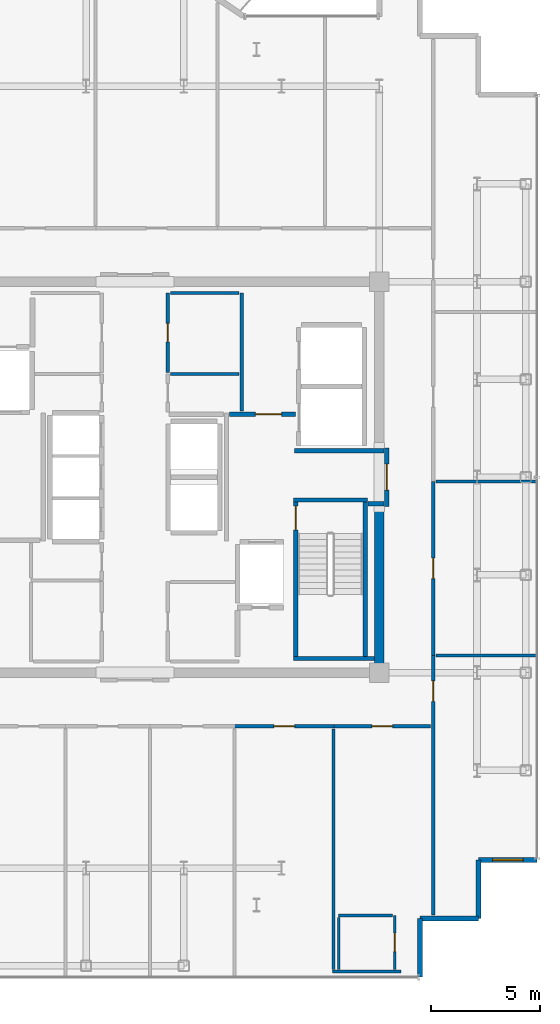
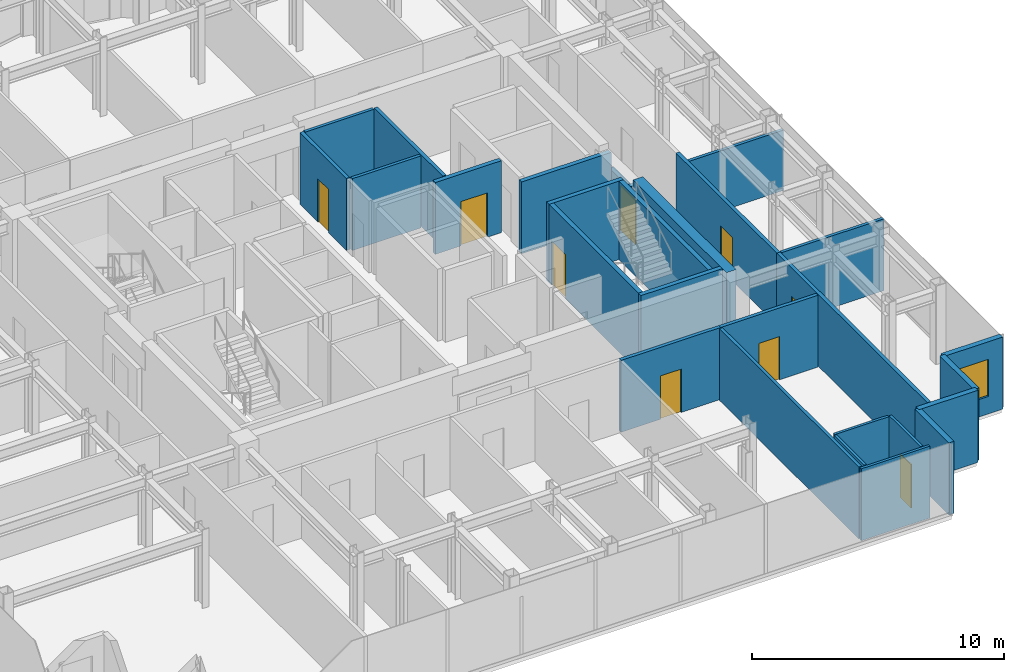
# One storey, part 15 of 18: 28 walls, 9 doors, 1 window, 10 openings.
"""IFC4 building model written with IfcOpenShell, lengths in metres."""

from ifc_helpers import new_model, si_unit, direction, frame, frame_2d, origin, place, context, subcontext, project, spatial, rectangle, extrude, source, transform, mapped, material, layer, layer_set, type_object, element, fill, save


model = new_model("IFC4")

# Units and contexts
model_context = context("Model", 3, precision=1e-05, world=origin(), true_north=direction((0.0, 1.0)))
body_context = subcontext(model_context, "Body", "Model", "MODEL_VIEW")
ifc_project = project(units=[si_unit("LENGTHUNIT", "METRE"), si_unit("AREAUNIT", "SQUARE_METRE"), si_unit("VOLUMEUNIT", "CUBIC_METRE"), si_unit("PLANEANGLEUNIT", "RADIAN"), si_unit("MASSUNIT", "GRAM", prefix="KILO")], contexts=[model_context])

# Site, building, storey
site_placement = place(None, origin())
site = spatial("IfcSite", under=ifc_project, at=site_placement, CompositionType="ELEMENT")
building_placement = place(site_placement, origin())
building = spatial("IfcBuilding", under=site, at=building_placement, Name="Nefas-Gora Pilgrimage Tower", CompositionType="ELEMENT")
storey_placement = place(building_placement, frame((0.0, 0.0, 314.0)))
storey = spatial("IfcBuildingStorey", under=building, at=storey_placement, Name="L79", CompositionType="ELEMENT", Elevation=314.0)

# Wall
ifc_material_1 = material(Name="Concrete C50/60", Category="concrete")
ifc_layer_1 = layer(ifc_material_1, 0.449951171875)
ifc_layer_set_1 = layer_set([ifc_layer_1], Name="Concrete C50/60")
wall_type_1 = type_object("IfcWallType", Name="SW-CORE-450", PredefinedType="SHEAR", material=ifc_layer_set_1)
shared_shape_1 = source(origin(), body_context, "Body", "SweptSolid", [
    extrude(rectangle(XDim=7.4248046875, YDim=0.449951171875, at=frame_2d((3.71240234375, 0.0))), origin(), (0.0, 0.0, 1.0), 3.800048828125),
])
wall_1_placement = place(storey_placement, frame((11.25, -8.77490234375, 0.0), z_axis=(0.0, 0.0, 1.0), x_axis=(0.0, 1.0, 0.0)))
element("IfcWall", 1, at=wall_1_placement, inside=storey, type_object=wall_type_1, Name="L79 Core Shear Wall E-South", PredefinedType="SHEAR", context=body_context, shape_type="MappedRepresentation", body=[
    mapped(shared_shape_1, transform((0.0, 0.0, 0.0), x_axis=(1.0, 0.0, 0.0), y_axis=(0.0, 1.0, 0.0), z_axis=(0.0, 0.0, 1.0), scale=1.0)),
])

# Wall, opening, window
ifc_material_2 = material(Name="Precast concrete C45/55", Category="concrete")
ifc_layer_2 = layer(ifc_material_2, 0.239990234375)
ifc_layer_set_2 = layer_set([ifc_layer_2], Name="Precast concrete C45/55")
wall_type_2 = type_object("IfcWallType", Name="EW-SERR-240", PredefinedType="SHEAR", material=ifc_layer_set_2)
shared_shape_2 = source(origin(), body_context, "Body", "SweptSolid", [
    extrude(rectangle(XDim=2.699951171875, YDim=0.239990234375, at=frame_2d((1.35009765625, 0.0))), origin(), (0.0, 0.0, 1.0), 3.5),
])
wall_2_placement = place(storey_placement, frame((15.820068359375, -17.6201171875, 0.0), z_axis=(0.0, 0.0, 1.0), x_axis=(1.0, 0.0, 0.0)))
wall_2 = element("IfcWall", 2, at=wall_2_placement, inside=storey, type_object=wall_type_2, Name="L79 Serrated Corner Shear Pier Wall 1", PredefinedType="SHEAR", context=body_context, shape_type="MappedRepresentation", body=[
    mapped(shared_shape_2, transform((0.0, 0.0, 0.0), x_axis=(1.0, 0.0, 0.0), y_axis=(0.0, 1.0, 0.0), z_axis=(0.0, 0.0, 1.0), scale=1.0)),
])
opening_1_placement = place(wall_2_placement, frame((0.64990234375, 0.0, 0.85009765625)))
opening_1 = element("IfcOpeningElement", 3, at=opening_1_placement, cuts=wall_2, Name="Opening W-V2", PredefinedType="OPENING", context=body_context, shape_type="SweptSolid", body=[
    extrude(rectangle(XDim=1.39990234375, YDim=1.800048828125, at=frame_2d((0.699951171875, 0.89990234375))), frame((0.0, 0.1298828125, 0.0), z_axis=(0.0, -1.0, 0.0), x_axis=(1.0, 0.0, 0.0)), (0.0, 0.0, 1.0), 0.260009765625),
])
ifc_material_3 = material(Name="Dark ceramic-fritted operable aluminium-glass window", Category="aluminium")
window_type = type_object("IfcWindowType", Name="WIN-VENT-1400x1800", PartitioningType="SINGLE_PANEL", PredefinedType="WINDOW", material=ifc_material_3)
shared_shape_3 = source(origin(), body_context, "Body", "SweptSolid", [
    extrude(rectangle(XDim=1.39990234375, YDim=1.800048828125, at=frame_2d((0.699951171875, 0.89990234375))), frame((0.0, 0.030029296875, 0.0), z_axis=(0.0, -1.0, 0.0), x_axis=(1.0, 0.0, 0.0)), (0.0, 0.0, 1.0), 0.06005859375),
])
window_placement = place(opening_1_placement, origin())
window = element("IfcWindow", 4, at=window_placement, inside=storey, type_object=window_type, Name="L79 Operable Parallel-Outswing Window 1", OverallHeight=1.800048828125, OverallWidth=1.39990234375, PartitioningType="SINGLE_PANEL", PredefinedType="WINDOW", context=body_context, shape_type="MappedRepresentation", body=[
    mapped(shared_shape_3, transform((0.0, 0.0, 0.0), x_axis=(1.0, 0.0, 0.0), y_axis=(0.0, 1.0, 0.0), z_axis=(0.0, 0.0, 1.0), scale=1.0)),
])
fill(opening_1, window)

# Walls
for number, where, z_axis, x_axis, name in (
    (5, (13.1201171875, -23.02001953125, 0.0), (0.0, 0.0, 1.0), (0.0, 1.0, 0.0), "L79 Serrated Corner Shear Pier Wall 25"),
    (6, (13.1201171875, -20.320068359375, 0.0), (0.0, 0.0, 1.0), (1.0, 0.0, 0.0), "L79 Serrated Corner Shear Pier Wall 26"),
    (7, (15.820068359375, -20.320068359375, 0.0), (0.0, 0.0, 1.0), (0.0, 1.0, 0.0), "L79 Serrated Corner Shear Pier Wall 27"),
):
    element("IfcWall", number, at=place(storey_placement, frame(where, z_axis=z_axis, x_axis=x_axis)), inside=storey, type_object=wall_type_2, Name=name, PredefinedType="SHEAR", context=body_context, shape_type="MappedRepresentation", body=[
        mapped(shared_shape_2, transform((0.0, 0.0, 0.0), x_axis=(1.0, 0.0, 0.0), y_axis=(0.0, 1.0, 0.0), z_axis=(0.0, 0.0, 1.0), scale=1.0)),
    ])
ifc_material_4 = material(Name="Concrete C45/55", Category="concrete")
ifc_layer_3 = layer(ifc_material_4, 0.199951171875)
ifc_layer_set_3 = layer_set([ifc_layer_3], Name="Concrete C45/55")
wall_type_3 = type_object("IfcWallType", Name="IW-STAIR-200", PredefinedType="SOLIDWALL", material=ifc_layer_set_3)
shared_shape_4 = source(origin(), body_context, "Body", "SweptSolid", [
    extrude(rectangle(XDim=3.39990234375, YDim=0.199951171875, at=frame_2d((1.699951171875, 0.0))), origin(), (0.0, 0.0, 1.0), 3.800048828125),
])
wall_3_placement = place(storey_placement, frame((7.300048828125, -1.050048828125, 0.0), z_axis=(0.0, 0.0, 1.0), x_axis=(1.0, 0.0, 0.0)))
element("IfcWall", 8, at=wall_3_placement, inside=storey, type_object=wall_type_3, Name="L79 Stairwell Shear Wall ST-02-near", PredefinedType="SOLIDWALL", context=body_context, shape_type="MappedRepresentation", body=[
    mapped(shared_shape_4, transform((0.0, 0.0, 0.0), x_axis=(1.0, 0.0, 0.0), y_axis=(0.0, 1.0, 0.0), z_axis=(0.0, 0.0, 1.0), scale=1.0)),
])

# Wall, opening, door
shared_shape_5 = source(origin(), body_context, "Body", "SweptSolid", [
    extrude(rectangle(XDim=7.10009765625, YDim=0.199951171875, at=frame_2d((3.550048828125, 0.0))), origin(), (0.0, 0.0, 1.0), 3.800048828125),
])
wall_4_placement = place(storey_placement, frame((7.39990234375, -1.14990234375, 0.0), z_axis=(0.0, 0.0, 1.0), x_axis=(0.0, -1.0, 0.0)))
wall_4 = element("IfcWall", 9, at=wall_4_placement, inside=storey, type_object=wall_type_3, Name="L79 Stairwell Shear Wall ST-02-left", PredefinedType="SOLIDWALL", context=body_context, shape_type="MappedRepresentation", body=[
    mapped(shared_shape_5, transform((0.0, 0.0, 0.0), x_axis=(1.0, 0.0, 0.0), y_axis=(0.0, 1.0, 0.0), z_axis=(0.0, 0.0, 1.0), scale=1.0)),
])
opening_2_placement = place(wall_4_placement, frame((0.179931640625, 0.0, 0.0)))
opening_2 = element("IfcOpeningElement", 10, at=opening_2_placement, cuts=wall_4, Name="Opening ID-ST1", PredefinedType="OPENING", context=body_context, shape_type="SweptSolid", body=[
    extrude(rectangle(XDim=1.10009765625, YDim=2.14990234375, at=frame_2d((0.550048828125, 1.074951171875))), frame((0.0, 0.10986328125, 0.0), z_axis=(0.0, -1.0, 0.0), x_axis=(1.0, 0.0, 0.0)), (0.0, 0.0, 1.0), 0.219970703125),
])
ifc_material_5 = material(Name="Painted galvanised steel fire stair door", Category="steel")
door_type_1 = type_object("IfcDoorType", Name="DR-INT-STAIR-1100", OperationType="NOTDEFINED", PredefinedType="DOOR", material=ifc_material_5)
shared_shape_6 = source(origin(), body_context, "Body", "SweptSolid", [
    extrude(rectangle(XDim=1.10009765625, YDim=2.14990234375, at=frame_2d((0.550048828125, 1.074951171875))), frame((0.0, 0.02490234375, 0.0), z_axis=(0.0, -1.0, 0.0), x_axis=(1.0, 0.0, 0.0)), (0.0, 0.0, 1.0), 0.050048828125),
])
door_1_placement = place(opening_2_placement, origin())
door_1 = element("IfcDoor", 11, at=door_1_placement, inside=storey, type_object=door_type_1, Name="L79 Protected Exit Stair Door ST-02", OperationType="SINGLE_SWING_RIGHT", OverallHeight=2.14990234375, OverallWidth=1.10009765625, PredefinedType="DOOR", context=body_context, shape_type="MappedRepresentation", body=[
    mapped(shared_shape_6, transform((0.0, 0.0, 0.0), x_axis=(1.0, 0.0, 0.0), y_axis=(0.0, 1.0, 0.0), z_axis=(0.0, 0.0, 1.0), scale=1.0)),
])
fill(opening_2, door_1)

# Walls
wall_5_placement = place(storey_placement, frame((10.60009765625, -1.14990234375, 0.0), z_axis=(0.0, 0.0, 1.0), x_axis=(0.0, -1.0, 0.0)))
element("IfcWall", 12, at=wall_5_placement, inside=storey, type_object=wall_type_3, Name="L79 Stairwell Shear Wall ST-02-right", PredefinedType="SOLIDWALL", context=body_context, shape_type="MappedRepresentation", body=[
    mapped(shared_shape_5, transform((0.0, 0.0, 0.0), x_axis=(1.0, 0.0, 0.0), y_axis=(0.0, 1.0, 0.0), z_axis=(0.0, 0.0, 1.0), scale=1.0)),
])
shared_shape_7 = source(origin(), body_context, "Body", "SweptSolid", [
    extrude(rectangle(XDim=3.72998046875, YDim=0.199951171875, at=frame_2d((1.864990234375, 0.0))), origin(), (0.0, 0.0, 1.0), 3.800048828125),
])
wall_6_placement = place(storey_placement, frame((7.300048828125, -8.35009765625, 0.0), z_axis=(0.0, 0.0, 1.0), x_axis=(1.0, 0.0, 0.0)))
element("IfcWall", 13, at=wall_6_placement, inside=storey, type_object=wall_type_3, Name="L79 Stairwell Shear Wall ST-02-far", PredefinedType="SOLIDWALL", context=body_context, shape_type="MappedRepresentation", body=[
    mapped(shared_shape_7, transform((0.0, 0.0, 0.0), x_axis=(1.0, 0.0, 0.0), y_axis=(0.0, 1.0, 0.0), z_axis=(0.0, 0.0, 1.0), scale=1.0)),
])
ifc_material_6 = material(Name="Gypsum fire-rated shaftwall")
ifc_layer_4 = layer(ifc_material_6, 0.199951171875)
ifc_layer_set_4 = layer_set([ifc_layer_4], Name="Gypsum fire-rated shaftwall")
wall_type_4 = type_object("IfcWallType", Name="IW-FFLOB-200", PredefinedType="PARTITIONING", material=ifc_layer_set_4)
shared_shape_8 = source(origin(), body_context, "Body", "SweptSolid", [
    extrude(rectangle(XDim=0.719970703125, YDim=0.199951171875, at=frame_2d((0.35986328125, 0.0))), origin(), (0.0, 0.0, 1.0), 3.485107421875),
])
wall_7_placement = place(storey_placement, frame((10.739990234375, -1.219970703125, 0.0), z_axis=(0.0, 0.0, 1.0), x_axis=(1.0, 0.0, 0.0)))
element("IfcWall", 14, at=wall_7_placement, inside=storey, type_object=wall_type_4, Name="L79 FF Lobby East Throat S Wall 15", PredefinedType="PARTITIONING", context=body_context, shape_type="MappedRepresentation", body=[
    mapped(shared_shape_8, transform((0.0, 0.0, 0.0), x_axis=(1.0, 0.0, 0.0), y_axis=(0.0, 1.0, 0.0), z_axis=(0.0, 0.0, 1.0), scale=1.0)),
])

# Wall, opening, door
shared_shape_9 = source(origin(), body_context, "Body", "SweptSolid", [
    extrude(rectangle(XDim=3.039794921875, YDim=0.199951171875, at=frame_2d((1.52001953125, 0.0))), origin(), (0.0, 0.0, 1.0), 3.485107421875),
])
wall_8_placement = place(storey_placement, frame((4.360107421875, 2.89990234375, 0.0), z_axis=(0.0, 0.0, 1.0), x_axis=(1.0, 0.0, 0.0)))
wall_8 = element("IfcWall", 15, at=wall_8_placement, inside=storey, type_object=wall_type_4, Name="L79 FF Lobby East North Wall Wall 13", PredefinedType="PARTITIONING", context=body_context, shape_type="MappedRepresentation", body=[
    mapped(shared_shape_9, transform((0.0, 0.0, 0.0), x_axis=(1.0, 0.0, 0.0), y_axis=(0.0, 1.0, 0.0), z_axis=(0.0, 0.0, 1.0), scale=1.0)),
])
opening_3_placement = place(wall_8_placement, frame((1.18994140625, 0.0, 0.0)))
opening_3 = element("IfcOpeningElement", 16, at=opening_3_placement, cuts=wall_8, Name="Opening ID-PL1", PredefinedType="OPENING", context=body_context, shape_type="SweptSolid", body=[
    extrude(rectangle(XDim=1.199951171875, YDim=2.14990234375, at=frame_2d((0.60009765625, 1.074951171875))), frame((0.0, 0.10986328125, 0.0), z_axis=(0.0, -1.0, 0.0), x_axis=(1.0, 0.0, 0.0)), (0.0, 0.0, 1.0), 0.219970703125),
])
ifc_material_7 = material(Name="Heavy-duty steel plant room fire door", Category="steel")
door_type_2 = type_object("IfcDoorType", Name="DR-INT-PLANT-1200", OperationType="NOTDEFINED", PredefinedType="DOOR", material=ifc_material_7)
shared_shape_10 = source(origin(), body_context, "Body", "SweptSolid", [
    extrude(rectangle(XDim=1.199951171875, YDim=2.14990234375, at=frame_2d((0.60009765625, 1.074951171875))), frame((0.0, 0.02490234375, 0.0), z_axis=(0.0, -1.0, 0.0), x_axis=(1.0, 0.0, 0.0)), (0.0, 0.0, 1.0), 0.050048828125),
])
door_2_placement = place(opening_3_placement, origin())
door_2 = element("IfcDoor", 17, at=door_2_placement, inside=storey, type_object=door_type_2, Name="L79 Service Lift Lobby Door Door 5", OperationType="SINGLE_SWING_RIGHT", OverallHeight=2.14990234375, OverallWidth=1.199951171875, PredefinedType="DOOR", context=body_context, shape_type="MappedRepresentation", body=[
    mapped(shared_shape_10, transform((0.0, 0.0, 0.0), x_axis=(1.0, 0.0, 0.0), y_axis=(0.0, 1.0, 0.0), z_axis=(0.0, 0.0, 1.0), scale=1.0)),
])
fill(opening_3, door_2)

# Wall
shared_shape_11 = source(origin(), body_context, "Body", "SweptSolid", [
    extrude(rectangle(XDim=4.10986328125, YDim=0.199951171875, at=frame_2d((2.054931640625, 0.0))), origin(), (0.0, 0.0, 1.0), 3.485107421875),
])
wall_9_placement = place(storey_placement, frame((7.35009765625, 1.219970703125, 0.0), z_axis=(0.0, 0.0, 1.0), x_axis=(1.0, 0.0, 0.0)))
element("IfcWall", 18, at=wall_9_placement, inside=storey, type_object=wall_type_4, Name="L79 FF Lobby East Throat N Wall 14", PredefinedType="PARTITIONING", context=body_context, shape_type="MappedRepresentation", body=[
    mapped(shared_shape_11, transform((0.0, 0.0, 0.0), x_axis=(1.0, 0.0, 0.0), y_axis=(0.0, 1.0, 0.0), z_axis=(0.0, 0.0, 1.0), scale=1.0)),
])

# Wall, opening, door
ifc_material_8 = material(Name="Moisture-resistant fire-rated gypsum partition")
ifc_layer_5 = layer(ifc_material_8, 0.1201171875)
ifc_layer_set_5 = layer_set([ifc_layer_5], Name="Moisture-resistant fire-rated gypsum partition")
wall_type_5 = type_object("IfcWallType", Name="IW-WET-120", PredefinedType="PLUMBINGWALL", material=ifc_layer_set_5)
shared_shape_12 = source(origin(), body_context, "Body", "SweptSolid", [
    extrude(rectangle(XDim=2.47998046875, YDim=0.1201171875, at=frame_2d((1.239990234375, 0.0))), origin(), (0.0, 0.0, 1.0), 3.485107421875),
])
wall_10_placement = place(storey_placement, frame((11.9599609375, -22.659912109375, 0.0), z_axis=(0.0, 0.0, 1.0), x_axis=(0.0, 1.0, 0.0)))
wall_10 = element("IfcWall", 19, at=wall_10_placement, inside=storey, type_object=wall_type_5, Name="L79 En-Suite Bathroom Wall 20", PredefinedType="PLUMBINGWALL", context=body_context, shape_type="MappedRepresentation", body=[
    mapped(shared_shape_12, transform((0.0, 0.0, 0.0), x_axis=(1.0, 0.0, 0.0), y_axis=(0.0, 1.0, 0.0), z_axis=(0.0, 0.0, 1.0), scale=1.0)),
])
opening_4_placement = place(wall_10_placement, frame((0.81494140625, 0.0, 0.0)))
opening_4 = element("IfcOpeningElement", 20, at=opening_4_placement, cuts=wall_10, Name="Opening ID-BT1", PredefinedType="OPENING", context=body_context, shape_type="SweptSolid", body=[
    extrude(rectangle(XDim=0.85009765625, YDim=2.10009765625, at=frame_2d((0.425048828125, 1.050048828125))), frame((0.0, 0.070068359375, 0.0), z_axis=(0.0, -1.0, 0.0), x_axis=(1.0, 0.0, 0.0)), (0.0, 0.0, 1.0), 0.14013671875),
])
ifc_material_9 = material(Name="Moisture-resistant fire-rated timber door", Category="wood")
door_type_3 = type_object("IfcDoorType", Name="DR-INT-BATH-850", OperationType="NOTDEFINED", PredefinedType="DOOR", material=ifc_material_9)
shared_shape_13 = source(origin(), body_context, "Body", "SweptSolid", [
    extrude(rectangle(XDim=0.85009765625, YDim=2.10009765625, at=frame_2d((0.425048828125, 1.050048828125))), frame((0.0, 0.02490234375, 0.0), z_axis=(0.0, -1.0, 0.0), x_axis=(1.0, 0.0, 0.0)), (0.0, 0.0, 1.0), 0.050048828125),
])
door_3_placement = place(opening_4_placement, origin())
door_3 = element("IfcDoor", 21, at=door_3_placement, inside=storey, type_object=door_type_3, Name="L79 En-Suite Bathroom Door 8", OperationType="SINGLE_SWING_LEFT", OverallHeight=2.10009765625, OverallWidth=0.85009765625, PredefinedType="DOOR", context=body_context, shape_type="MappedRepresentation", body=[
    mapped(shared_shape_13, transform((0.0, 0.0, 0.0), x_axis=(1.0, 0.0, 0.0), y_axis=(0.0, 1.0, 0.0), z_axis=(0.0, 0.0, 1.0), scale=1.0)),
])
fill(opening_4, door_3)

ifc_material_10 = material(Name="Gypsum acoustic stud partition")
ifc_layer_6 = layer(ifc_material_10, 0.159912109375)
ifc_layer_set_6 = layer_set([ifc_layer_6], Name="Gypsum acoustic stud partition")
wall_type_6 = type_object("IfcWallType", Name="IW-CORR-160", PredefinedType="PARTITIONING", material=ifc_layer_set_6)
shared_shape_14 = source(origin(), body_context, "Body", "SweptSolid", [
    extrude(rectangle(XDim=4.56494140625, YDim=0.159912109375, at=frame_2d((2.282470703125, 0.0))), origin(), (0.0, 0.0, 1.0), 3.485107421875),
])
wall_11_placement = place(storey_placement, frame((4.594970703125, -11.469970703125, 0.0), z_axis=(0.0, 0.0, 1.0), x_axis=(1.0, 0.0, 0.0)))
wall_11 = element("IfcWall", 22, at=wall_11_placement, inside=storey, type_object=wall_type_6, Name="L79 Pilgrim Contemplative Lounge Partition Wall 75", PredefinedType="PARTITIONING", context=body_context, shape_type="MappedRepresentation", body=[
    mapped(shared_shape_14, transform((0.0, 0.0, 0.0), x_axis=(1.0, 0.0, 0.0), y_axis=(0.0, 1.0, 0.0), z_axis=(0.0, 0.0, 1.0), scale=1.0)),
])
opening_5_placement = place(wall_11_placement, frame((1.8076171875, 0.0, 0.0)))
opening_5 = element("IfcOpeningElement", 23, at=opening_5_placement, cuts=wall_11, Name="Opening ID-GR1", PredefinedType="OPENING", context=body_context, shape_type="SweptSolid", body=[
    extrude(rectangle(XDim=0.949951171875, YDim=2.10009765625, at=frame_2d((0.47509765625, 1.050048828125))), frame((0.0, 0.08984375, 0.0), z_axis=(0.0, -1.0, 0.0), x_axis=(1.0, 0.0, 0.0)), (0.0, 0.0, 1.0), 0.179931640625),
])
ifc_material_11 = material(Name="Solid core oak fire-rated guest entrance door")
door_type_4 = type_object("IfcDoorType", Name="DR-INT-GUEST-950", OperationType="NOTDEFINED", PredefinedType="DOOR", material=ifc_material_11)
shared_shape_15 = source(origin(), body_context, "Body", "SweptSolid", [
    extrude(rectangle(XDim=0.949951171875, YDim=2.10009765625, at=frame_2d((0.47509765625, 1.050048828125))), frame((0.0, 0.02490234375, 0.0), z_axis=(0.0, -1.0, 0.0), x_axis=(1.0, 0.0, 0.0)), (0.0, 0.0, 1.0), 0.050048828125),
])
door_4_placement = place(opening_5_placement, origin())
door_4 = element("IfcDoor", 24, at=door_4_placement, inside=storey, type_object=door_type_4, Name="L79 Pilgrim Contemplative Lounge Door 35", OperationType="SINGLE_SWING_RIGHT", OverallHeight=2.10009765625, OverallWidth=0.949951171875, PredefinedType="DOOR", context=body_context, shape_type="MappedRepresentation", body=[
    mapped(shared_shape_15, transform((0.0, 0.0, 0.0), x_axis=(1.0, 0.0, 0.0), y_axis=(0.0, 1.0, 0.0), z_axis=(0.0, 0.0, 1.0), scale=1.0)),
])
fill(opening_5, door_4)

shared_shape_16 = source(origin(), body_context, "Body", "SweptSolid", [
    extrude(rectangle(XDim=4.460205078125, YDim=0.159912109375, at=frame_2d((2.22998046875, 0.0))), origin(), (0.0, 0.0, 1.0), 3.485107421875),
])
wall_12_placement = place(storey_placement, frame((9.159912109375, -11.469970703125, 0.0), z_axis=(0.0, 0.0, 1.0), x_axis=(1.0, 0.0, 0.0)))
wall_12 = element("IfcWall", 25, at=wall_12_placement, inside=storey, type_object=wall_type_6, Name="L79 Pilgrim Sanctuary Suite Partition Wall 77", PredefinedType="PARTITIONING", context=body_context, shape_type="MappedRepresentation", body=[
    mapped(shared_shape_16, transform((0.0, 0.0, 0.0), x_axis=(1.0, 0.0, 0.0), y_axis=(0.0, 1.0, 0.0), z_axis=(0.0, 0.0, 1.0), scale=1.0)),
])
opening_6_placement = place(wall_12_placement, frame((1.7548828125, 0.0, 0.0)))
opening_6 = element("IfcOpeningElement", 26, at=opening_6_placement, cuts=wall_12, Name="Opening ID-GR1", PredefinedType="OPENING", context=body_context, shape_type="SweptSolid", body=[
    extrude(rectangle(XDim=0.949951171875, YDim=2.10009765625, at=frame_2d((0.47509765625, 1.050048828125))), frame((0.0, 0.08984375, 0.0), z_axis=(0.0, -1.0, 0.0), x_axis=(1.0, 0.0, 0.0)), (0.0, 0.0, 1.0), 0.179931640625),
])
door_5_placement = place(opening_6_placement, origin())
door_5 = element("IfcDoor", 27, at=door_5_placement, inside=storey, type_object=door_type_4, Name="L79 Pilgrim Sanctuary Suite Door 36", OperationType="SINGLE_SWING_LEFT", OverallHeight=2.10009765625, OverallWidth=0.949951171875, PredefinedType="DOOR", context=body_context, shape_type="MappedRepresentation", body=[
    mapped(shared_shape_15, transform((0.0, 0.0, 0.0), x_axis=(1.0, 0.0, 0.0), y_axis=(0.0, 1.0, 0.0), z_axis=(0.0, 0.0, 1.0), scale=1.0)),
])
fill(opening_6, door_5)

# Walls
ifc_material_12 = material(Name="Gypsum twin-stud partition")
ifc_layer_7 = layer(ifc_material_12, 0.139892578125)
ifc_layer_set_7 = layer_set([ifc_layer_7], Name="Gypsum twin-stud partition")
wall_type_7 = type_object("IfcWallType", Name="IW-UNIT-140", PredefinedType="PARTITIONING", material=ifc_layer_set_7)
shared_shape_17 = source(origin(), body_context, "Body", "SweptSolid", [
    extrude(rectangle(XDim=3.150146484375, YDim=0.139892578125, at=frame_2d((1.5751953125, 0.0))), origin(), (0.0, 0.0, 1.0), 3.485107421875),
])
for number, where, z_axis, x_axis, name in (
    (28, (1.639892578125, 4.75, 0.0), (0.0, 0.0, 1.0), (1.0, 0.0, 0.0), "L79 Clean Blanket and Robe Store Partition Wall 28"),
    (29, (1.639892578125, 8.47998046875, 0.0), (0.0, 0.0, 1.0), (1.0, 0.0, 0.0), "L79 Amenity Supply Store Partition Wall 30"),
):
    element("IfcWall", number, at=place(storey_placement, frame(where, z_axis=z_axis, x_axis=x_axis)), inside=storey, type_object=wall_type_7, Name=name, PredefinedType="PARTITIONING", context=body_context, shape_type="MappedRepresentation", body=[
        mapped(shared_shape_17, transform((0.0, 0.0, 0.0), x_axis=(1.0, 0.0, 0.0), y_axis=(0.0, 1.0, 0.0), z_axis=(0.0, 0.0, 1.0), scale=1.0)),
    ])
shared_shape_18 = source(origin(), body_context, "Body", "SweptSolid", [
    extrude(rectangle(XDim=5.449951171875, YDim=0.159912109375, at=frame_2d((2.72509765625, 0.0))), origin(), (0.0, 0.0, 1.0), 3.485107421875),
])
wall_13_placement = place(storey_placement, frame((4.919921875, 3.0400390625, 0.0), z_axis=(0.0, 0.0, 1.0), x_axis=(0.0, 1.0, 0.0)))
element("IfcWall", 30, at=wall_13_placement, inside=storey, type_object=wall_type_6, Name="L79 Service Lift Lobby West Wall Wall 18", PredefinedType="PARTITIONING", context=body_context, shape_type="MappedRepresentation", body=[
    mapped(shared_shape_18, transform((0.0, 0.0, 0.0), x_axis=(1.0, 0.0, 0.0), y_axis=(0.0, 1.0, 0.0), z_axis=(0.0, 0.0, 1.0), scale=1.0)),
])

# Wall, opening, door
shared_shape_19 = source(origin(), body_context, "Body", "SweptSolid", [
    extrude(rectangle(XDim=3.679931640625, YDim=0.159912109375, at=frame_2d((1.83984375, 0.0))), origin(), (0.0, 0.0, 1.0), 3.485107421875),
])
wall_14_placement = place(storey_placement, frame((1.52001953125, 4.81005859375, 0.0), z_axis=(0.0, 0.0, 1.0), x_axis=(0.0, 1.0, 0.0)))
wall_14 = element("IfcWall", 31, at=wall_14_placement, inside=storey, type_object=wall_type_6, Name="L79 Amenity Supply Store Wall 29", PredefinedType="PARTITIONING", context=body_context, shape_type="MappedRepresentation", body=[
    mapped(shared_shape_19, transform((0.0, 0.0, 0.0), x_axis=(1.0, 0.0, 0.0), y_axis=(0.0, 1.0, 0.0), z_axis=(0.0, 0.0, 1.0), scale=1.0)),
])
opening_7_placement = place(wall_14_placement, frame((1.4150390625, 0.0, 0.0)))
opening_7 = element("IfcOpeningElement", 32, at=opening_7_placement, cuts=wall_14, Name="Opening ID-BT1", PredefinedType="OPENING", context=body_context, shape_type="SweptSolid", body=[
    extrude(rectangle(XDim=0.85009765625, YDim=2.10009765625, at=frame_2d((0.425048828125, 1.050048828125))), frame((0.0, 0.08984375, 0.0), z_axis=(0.0, -1.0, 0.0), x_axis=(1.0, 0.0, 0.0)), (0.0, 0.0, 1.0), 0.179931640625),
])
door_6_placement = place(opening_7_placement, origin())
door_6 = element("IfcDoor", 33, at=door_6_placement, inside=storey, type_object=door_type_3, Name="L79 Amenity Supply Store Door 12", OperationType="SINGLE_SWING_LEFT", OverallHeight=2.10009765625, OverallWidth=0.85009765625, PredefinedType="DOOR", context=body_context, shape_type="MappedRepresentation", body=[
    mapped(shared_shape_13, transform((0.0, 0.0, 0.0), x_axis=(1.0, 0.0, 0.0), y_axis=(0.0, 1.0, 0.0), z_axis=(0.0, 0.0, 1.0), scale=1.0)),
])
fill(opening_7, door_6)

shared_shape_20 = source(origin(), body_context, "Body", "SweptSolid", [
    extrude(rectangle(XDim=8.010009765625, YDim=0.159912109375, at=frame_2d((4.0048828125, 0.0))), origin(), (0.0, 0.0, 1.0), 3.485107421875),
])
wall_15_placement = place(storey_placement, frame((13.739990234375, -8.205078125, 0.0), z_axis=(0.0, 0.0, 1.0), x_axis=(0.0, 1.0, 0.0)))
wall_15 = element("IfcWall", 34, at=wall_15_placement, inside=storey, type_object=wall_type_6, Name="L79 Pilgrim Contemplative Lounge Partition Wall 52", PredefinedType="PARTITIONING", context=body_context, shape_type="MappedRepresentation", body=[
    mapped(shared_shape_20, transform((0.0, 0.0, 0.0), x_axis=(1.0, 0.0, 0.0), y_axis=(0.0, 1.0, 0.0), z_axis=(0.0, 0.0, 1.0), scale=1.0)),
])
opening_8_placement = place(wall_15_placement, frame((3.530029296875, 0.0, 0.0)))
opening_8 = element("IfcOpeningElement", 35, at=opening_8_placement, cuts=wall_15, Name="Opening ID-GR1", PredefinedType="OPENING", context=body_context, shape_type="SweptSolid", body=[
    extrude(rectangle(XDim=0.949951171875, YDim=2.10009765625, at=frame_2d((0.47509765625, 1.050048828125))), frame((0.0, 0.08984375, 0.0), z_axis=(0.0, -1.0, 0.0), x_axis=(1.0, 0.0, 0.0)), (0.0, 0.0, 1.0), 0.179931640625),
])
door_7_placement = place(opening_8_placement, origin())
door_7 = element("IfcDoor", 36, at=door_7_placement, inside=storey, type_object=door_type_4, Name="L79 Pilgrim Contemplative Lounge Door 22", OperationType="SINGLE_SWING_LEFT", OverallHeight=2.10009765625, OverallWidth=0.949951171875, PredefinedType="DOOR", context=body_context, shape_type="MappedRepresentation", body=[
    mapped(shared_shape_15, transform((0.0, 0.0, 0.0), x_axis=(1.0, 0.0, 0.0), y_axis=(0.0, 1.0, 0.0), z_axis=(0.0, 0.0, 1.0), scale=1.0)),
])
fill(opening_8, door_7)

shared_shape_21 = source(origin(), body_context, "Body", "SweptSolid", [
    extrude(rectangle(XDim=2.7001953125, YDim=0.199951171875, at=frame_2d((1.35009765625, 0.0))), origin(), (0.0, 0.0, 1.0), 2.574951171875),
])
wall_16_placement = place(storey_placement, frame((11.60009765625, -1.35009765625, 0.0), z_axis=(0.0, 0.0, 1.0), x_axis=(0.0, 1.0, 0.0)))
wall_16 = element("IfcWall", 37, at=wall_16_placement, inside=storey, type_object=wall_type_4, Name="L79 FF Lobby East Portal Wall 10", PredefinedType="PARTITIONING", context=body_context, shape_type="MappedRepresentation", body=[
    mapped(shared_shape_21, transform((0.0, 0.0, 0.0), x_axis=(1.0, 0.0, 0.0), y_axis=(0.0, 1.0, 0.0), z_axis=(0.0, 0.0, 1.0), scale=1.0)),
])
opening_9_placement = place(wall_16_placement, frame((0.75, 0.0, 0.0)))
opening_9 = element("IfcOpeningElement", 38, at=opening_9_placement, cuts=wall_16, Name="Opening ID-FF1", PredefinedType="OPENING", context=body_context, shape_type="SweptSolid", body=[
    extrude(rectangle(XDim=1.199951171875, YDim=2.14990234375, at=frame_2d((0.60009765625, 1.074951171875))), frame((0.0, 0.10986328125, 0.0), z_axis=(0.0, -1.0, 0.0), x_axis=(1.0, 0.0, 0.0)), (0.0, 0.0, 1.0), 0.219970703125),
])
ifc_material_13 = material(Name="Smoke-sealed steel firefighting lobby door", Category="steel")
door_type_5 = type_object("IfcDoorType", Name="DR-INT-FFLOB-1200", OperationType="NOTDEFINED", PredefinedType="DOOR", material=ifc_material_13)
door_8_placement = place(opening_9_placement, origin())
door_8 = element("IfcDoor", 39, at=door_8_placement, inside=storey, type_object=door_type_5, Name="L79 FF Lobby East Portal Door 4", OperationType="SINGLE_SWING_LEFT", OverallHeight=2.14990234375, OverallWidth=1.199951171875, PredefinedType="DOOR", context=body_context, shape_type="MappedRepresentation", body=[
    mapped(shared_shape_10, transform((0.0, 0.0, 0.0), x_axis=(1.0, 0.0, 0.0), y_axis=(0.0, 1.0, 0.0), z_axis=(0.0, 0.0, 1.0), scale=1.0)),
])
fill(opening_9, door_8)

# Walls
shared_shape_22 = source(origin(), body_context, "Body", "SweptSolid", [
    extrude(rectangle(XDim=4.679931640625, YDim=0.139892578125, at=frame_2d((2.33984375, 0.0))), origin(), (0.0, 0.0, 1.0), 2.925048828125),
])
wall_17_placement = place(storey_placement, frame((13.860107421875, -0.205078125, 0.0), z_axis=(0.0, 0.0, 1.0), x_axis=(1.0, 0.0, 0.0)))
element("IfcWall", 40, at=wall_17_placement, inside=storey, type_object=wall_type_7, Name="L79 Pilgrim Contemplative Lounge Partition Wall 53", PredefinedType="PARTITIONING", context=body_context, shape_type="MappedRepresentation", body=[
    mapped(shared_shape_22, transform((0.0, 0.0, 0.0), x_axis=(1.0, 0.0, 0.0), y_axis=(0.0, 1.0, 0.0), z_axis=(0.0, 0.0, 1.0), scale=1.0)),
])
shared_shape_23 = source(origin(), body_context, "Body", "SweptSolid", [
    extrude(rectangle(XDim=3.139892578125, YDim=0.1201171875, at=frame_2d((1.56982421875, 0.0))), origin(), (0.0, 0.0, 1.0), 3.485107421875),
])
wall_18_placement = place(storey_placement, frame((9.10009765625, -22.760009765625, 0.0), z_axis=(0.0, 0.0, 1.0), x_axis=(1.0, 0.0, 0.0)))
element("IfcWall", 41, at=wall_18_placement, inside=storey, type_object=wall_type_5, Name="L79 En-Suite Bathroom Wall 19", PredefinedType="PLUMBINGWALL", context=body_context, shape_type="MappedRepresentation", body=[
    mapped(shared_shape_23, transform((0.0, 0.0, 0.0), x_axis=(1.0, 0.0, 0.0), y_axis=(0.0, 1.0, 0.0), z_axis=(0.0, 0.0, 1.0), scale=1.0)),
])
shared_shape_24 = source(origin(), body_context, "Body", "SweptSolid", [
    extrude(rectangle(XDim=2.480224609375, YDim=0.1201171875, at=frame_2d((1.240234375, 0.0))), origin(), (0.0, 0.0, 1.0), 3.485107421875),
])
wall_19_placement = place(storey_placement, frame((9.3798828125, -20.179931640625, 0.0), z_axis=(0.0, 0.0, 1.0), x_axis=(1.0, 0.0, 0.0)))
element("IfcWall", 42, at=wall_19_placement, inside=storey, type_object=wall_type_5, Name="L79 En-Suite Bathroom Wall 21", PredefinedType="PLUMBINGWALL", context=body_context, shape_type="MappedRepresentation", body=[
    mapped(shared_shape_24, transform((0.0, 0.0, 0.0), x_axis=(1.0, 0.0, 0.0), y_axis=(0.0, 1.0, 0.0), z_axis=(0.0, 0.0, 1.0), scale=1.0)),
])
shared_shape_25 = source(origin(), body_context, "Body", "SweptSolid", [
    extrude(rectangle(XDim=2.3798828125, YDim=0.1201171875, at=frame_2d((1.18994140625, 0.0))), origin(), (0.0, 0.0, 1.0), 3.485107421875),
])
wall_20_placement = place(storey_placement, frame((9.3798828125, -22.659912109375, 0.0), z_axis=(0.0, 0.0, 1.0), x_axis=(0.0, 1.0, 0.0)))
element("IfcWall", 43, at=wall_20_placement, inside=storey, type_object=wall_type_5, Name="L79 En-Suite Bathroom Wall 22", PredefinedType="PLUMBINGWALL", context=body_context, shape_type="MappedRepresentation", body=[
    mapped(shared_shape_25, transform((0.0, 0.0, 0.0), x_axis=(1.0, 0.0, 0.0), y_axis=(0.0, 1.0, 0.0), z_axis=(0.0, 0.0, 1.0), scale=1.0)),
])

# Wall, opening, door
shared_shape_26 = source(origin(), body_context, "Body", "SweptSolid", [
    extrude(rectangle(XDim=11.96484375, YDim=0.159912109375, at=frame_2d((5.982421875, 0.0))), origin(), (0.0, 0.0, 1.0), 3.485107421875),
])
wall_21_placement = place(storey_placement, frame((13.739990234375, -20.159912109375, 0.0), z_axis=(0.0, 0.0, 1.0), x_axis=(0.0, 1.0, 0.0)))
wall_21 = element("IfcWall", 44, at=wall_21_placement, inside=storey, type_object=wall_type_6, Name="L79 Pilgrim Fellowship Seminar Room Partition Wall 50", PredefinedType="PARTITIONING", context=body_context, shape_type="MappedRepresentation", body=[
    mapped(shared_shape_26, transform((0.0, 0.0, 0.0), x_axis=(1.0, 0.0, 0.0), y_axis=(0.0, 1.0, 0.0), z_axis=(0.0, 0.0, 1.0), scale=1.0)),
])
opening_10_placement = place(wall_21_placement, frame((9.83251953125, 0.0, 0.0)))
opening_10 = element("IfcOpeningElement", 45, at=opening_10_placement, cuts=wall_21, Name="Opening ID-GR1", PredefinedType="OPENING", context=body_context, shape_type="SweptSolid", body=[
    extrude(rectangle(XDim=0.949951171875, YDim=2.10009765625, at=frame_2d((0.47509765625, 1.050048828125))), frame((0.0, 0.08984375, 0.0), z_axis=(0.0, -1.0, 0.0), x_axis=(1.0, 0.0, 0.0)), (0.0, 0.0, 1.0), 0.179931640625),
])
door_9_placement = place(opening_10_placement, origin())
door_9 = element("IfcDoor", 46, at=door_9_placement, inside=storey, type_object=door_type_4, Name="L79 Pilgrim Fellowship Seminar Room Door 21", OperationType="SINGLE_SWING_RIGHT", OverallHeight=2.10009765625, OverallWidth=0.949951171875, PredefinedType="DOOR", context=body_context, shape_type="MappedRepresentation", body=[
    mapped(shared_shape_15, transform((0.0, 0.0, 0.0), x_axis=(1.0, 0.0, 0.0), y_axis=(0.0, 1.0, 0.0), z_axis=(0.0, 0.0, 1.0), scale=1.0)),
])
fill(opening_10, door_9)

# Walls
shared_shape_27 = source(origin(), body_context, "Body", "SweptSolid", [
    extrude(rectangle(XDim=4.679931640625, YDim=0.139892578125, at=frame_2d((2.33984375, 0.0))), origin(), (0.0, 0.0, 1.0), 3.485107421875),
])
wall_22_placement = place(storey_placement, frame((13.860107421875, -8.205078125, 0.0), z_axis=(0.0, 0.0, 1.0), x_axis=(1.0, 0.0, 0.0)))
element("IfcWall", 47, at=wall_22_placement, inside=storey, type_object=wall_type_7, Name="L79 Pilgrim Fellowship Seminar Room Partition Wall 51", PredefinedType="PARTITIONING", context=body_context, shape_type="MappedRepresentation", body=[
    mapped(shared_shape_27, transform((0.0, 0.0, 0.0), x_axis=(1.0, 0.0, 0.0), y_axis=(0.0, 1.0, 0.0), z_axis=(0.0, 0.0, 1.0), scale=1.0)),
])
shared_shape_28 = source(origin(), body_context, "Body", "SweptSolid", [
    extrude(rectangle(XDim=11.06982421875, YDim=0.139892578125, at=frame_2d((5.534912109375, 0.0))), origin(), (0.0, 0.0, 1.0), 3.485107421875),
])
wall_23_placement = place(storey_placement, frame((9.14990234375, -22.659912109375, 0.0), z_axis=(0.0, 0.0, 1.0), x_axis=(0.0, 1.0, 0.0)))
element("IfcWall", 48, at=wall_23_placement, inside=storey, type_object=wall_type_7, Name="L79 Pilgrim Contemplative Lounge Partition Wall 76", PredefinedType="PARTITIONING", context=body_context, shape_type="MappedRepresentation", body=[
    mapped(shared_shape_28, transform((0.0, 0.0, 0.0), x_axis=(1.0, 0.0, 0.0), y_axis=(0.0, 1.0, 0.0), z_axis=(0.0, 0.0, 1.0), scale=1.0)),
])

save(model, "model.ifc")
